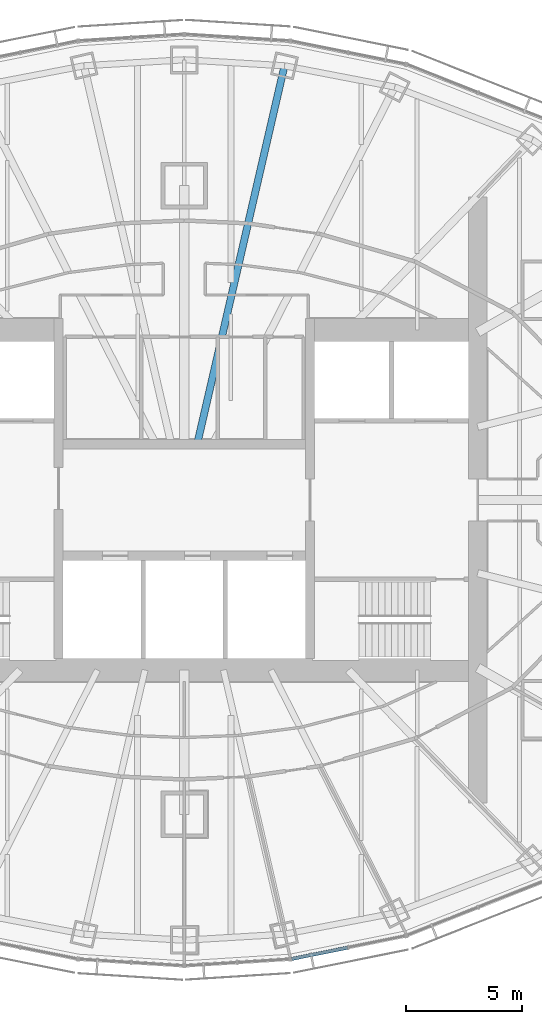
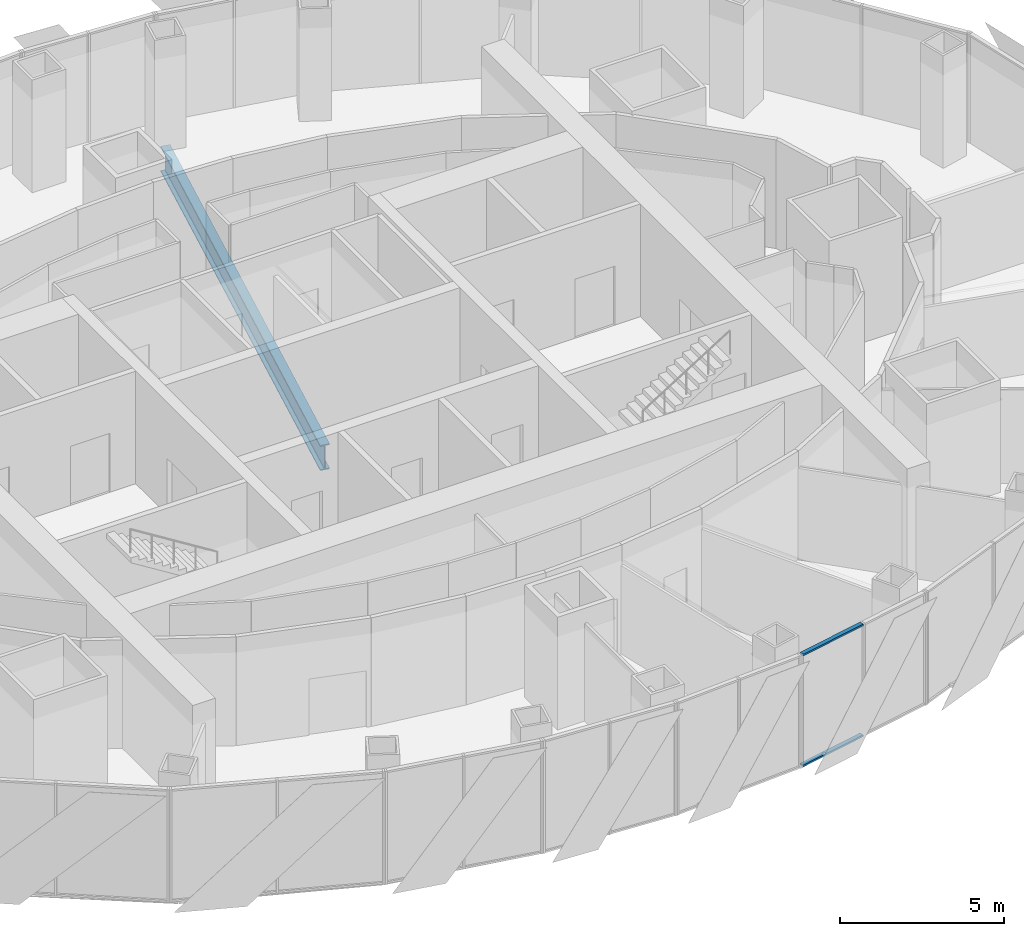
# One storey, part 5 of 17: 2 members, 1 beam, 1 element without a shape of its own.
"""IFC4 building model written with IfcOpenShell, lengths in metres."""

from ifc_helpers import new_model, si_unit, direction, frame, origin, origin_2d, place, context, subcontext, project, spatial, rectangle, i_section, extrude, material, material_profile, profile_set, type_object, element, aggregate, save


model = new_model("IFC4")

# Units and contexts
model_context = context("Model", 3, precision=1e-05, world=origin(), true_north=direction((0.0, 1.0)))
body_context = subcontext(model_context, "Body", "Model", "MODEL_VIEW")
ifc_project = project(units=[si_unit("LENGTHUNIT", "METRE"), si_unit("AREAUNIT", "SQUARE_METRE"), si_unit("VOLUMEUNIT", "CUBIC_METRE"), si_unit("PLANEANGLEUNIT", "RADIAN"), si_unit("MASSUNIT", "GRAM", prefix="KILO")], contexts=[model_context])

# Site, building, storey
site_placement = place(None, origin())
site = spatial("IfcSite", under=ifc_project, at=site_placement, CompositionType="ELEMENT")
building_placement = place(site_placement, origin())
building = spatial("IfcBuilding", under=site, at=building_placement, Name="Lantaw Convention Tower", CompositionType="ELEMENT")
storey_placement = place(building_placement, frame((0.0, 0.0, 224.199951171875)))
storey = spatial("IfcBuildingStorey", under=building, at=storey_placement, Name="L52", CompositionType="ELEMENT", Elevation=224.199951171875)

# Beam
ifc_material_1 = material(Name="Steel ASTM A992", Category="steel")
ifc_material_profile_1 = material_profile(ifc_material_1, i_section(OverallWidth=0.307373046875, OverallDepth=0.9423828125, WebThickness=0.022216796875, FlangeThickness=0.039794921875, FilletRadius=0.0126953125, at=origin_2d()), Name="W36X232")
ifc_profile_set_1 = profile_set([ifc_material_profile_1], Name="Steel ASTM A992")
beam_type = type_object("IfcBeamType", Name="Beam G W36X232", PredefinedType="BEAM", material=ifc_profile_set_1)
beam_placement = place(storey_placement, frame((0.55419921875, 2.39990234375, -0.62109375), z_axis=(0.224948287002, 0.974370703672, 0.0), x_axis=(-0.974370703672, 0.224948287002, 0.0)))
element("IfcBeam", 1, at=beam_placement, inside=storey, type_object=beam_type, Name="Floor girder on ray 6", PredefinedType="BEAM", context=body_context, shape_type="SweptSolid", body=[
    extrude(i_section(OverallWidth=0.307373046875, OverallDepth=0.9423828125, WebThickness=0.022216796875, FlangeThickness=0.039794921875, FilletRadius=0.0126953125, at=origin_2d()), origin(), (0.0, 0.0, 1.0), 16.66943359375),
])

# Curtain wall, members
ifc_material_2 = material(Name="Aluminium framed curtain wall", Category="aluminium")
curtain_wall_type = type_object("IfcCurtainWallType", Name="Office curtain wall high rise, pale aluminium", PredefinedType="USERDEFINED", material=ifc_material_2)
curtain_wall_placement = place(storey_placement, origin())
curtain_wall = element("IfcCurtainWall", 2, at=curtain_wall_placement, inside=storey, type_object=curtain_wall_type, Name="Office curtain wall high rise, pale aluminium L52", ObjectType="UNITISED CURTAIN WALL", PredefinedType="USERDEFINED")
ifc_material_3 = material(Name="Aluminium 6063-T6", Category="aluminium")
ifc_material_profile_2 = material_profile(ifc_material_3, rectangle(XDim=0.14990234375, YDim=0.06494140625, at=origin_2d()), Name="CW-O2 transom 65x150")
ifc_profile_set_2 = profile_set([ifc_material_profile_2], Name="Aluminium 6063-T6")
member_type = type_object("IfcMemberType", Name="CW-O2 transom 65x150", PredefinedType="USERDEFINED", material=ifc_profile_set_2)
member_1_placement = place(storey_placement, frame((4.614990234375, -19.700927734375, -0.117431640625), z_axis=(0.980380354178, 0.197115096178, 0.0), x_axis=(-0.197115096178, 0.980380354178, 0.0)))
member_1 = element("IfcMember", 3, at=member_1_placement, type_object=member_type, Name="CW-O2 transom 1.1", ObjectType="TRANSOM", PredefinedType="USERDEFINED", context=body_context, shape_type="SweptSolid", body=[
    extrude(rectangle(XDim=0.14990234375, YDim=0.06494140625, at=origin_2d()), origin(), (0.0, 0.0, 1.0), 2.443603515625),
])
member_2_placement = place(storey_placement, frame((4.614990234375, -19.700927734375, 4.017578125), z_axis=(0.980380354178, 0.197115096178, 0.0), x_axis=(-0.197115096178, 0.980380354178, 0.0)))
member_2 = element("IfcMember", 4, at=member_2_placement, type_object=member_type, Name="CW-O2 transom 1.2", ObjectType="TRANSOM", PredefinedType="USERDEFINED", context=body_context, shape_type="SweptSolid", body=[
    extrude(rectangle(XDim=0.14990234375, YDim=0.06494140625, at=origin_2d()), origin(), (0.0, 0.0, 1.0), 2.443603515625),
])
aggregate(curtain_wall, [member_1, member_2])

save(model, "model.ifc")
